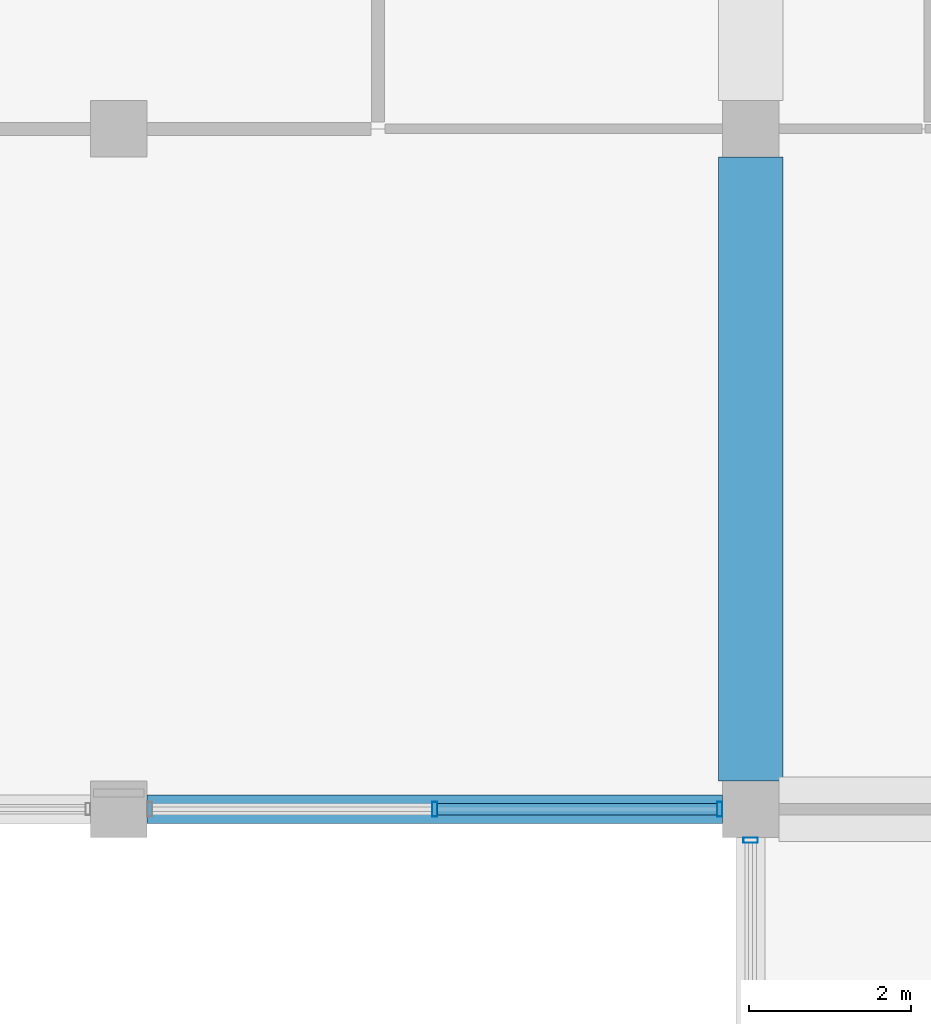
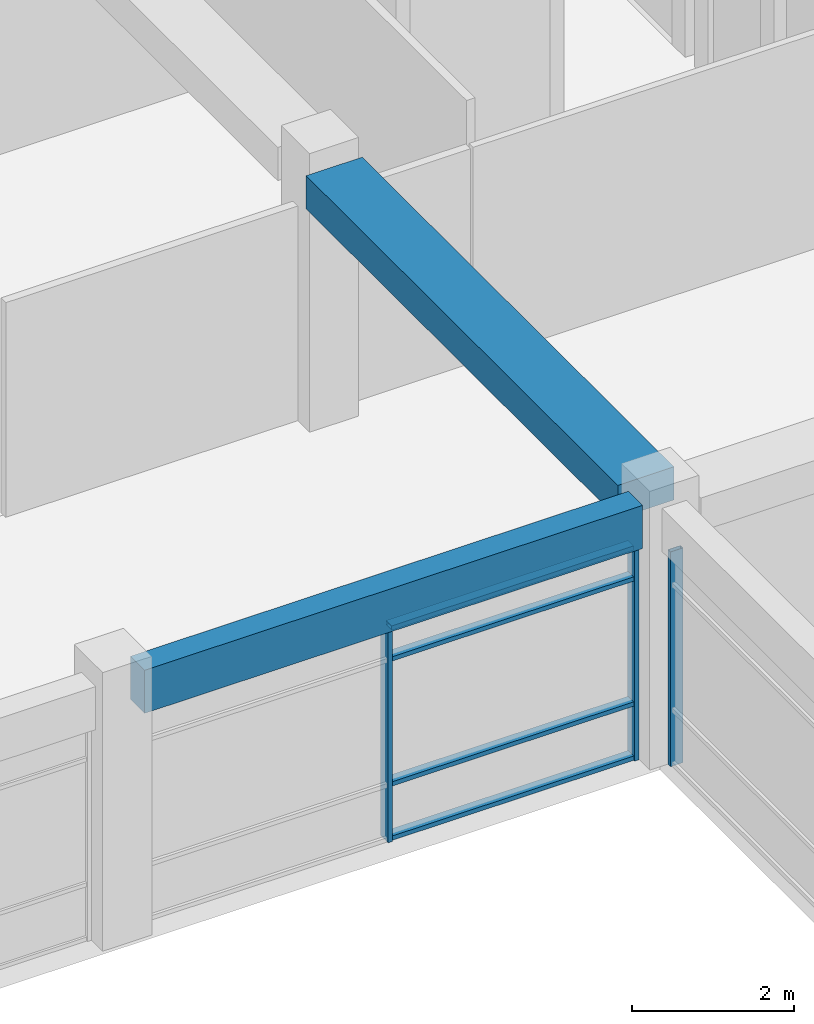
# One storey, part 18 of 53: 7 members, 2 beams, 2 elements without a shape of their own.
"""IFC4 building model written with IfcOpenShell, lengths in metres."""

from ifc_helpers import new_model, si_unit, direction, frame, origin, origin_2d, place, context, subcontext, project, spatial, rectangle, hollow_rectangle, extrude, material, material_profile, profile_set, type_object, element, aggregate, save


model = new_model("IFC4")

# Units and contexts
model_context = context("Model", 3, precision=1e-05, world=origin(), true_north=direction((0.0, 1.0)))
body_context = subcontext(model_context, "Body", "Model", "MODEL_VIEW")
ifc_project = project(units=[si_unit("LENGTHUNIT", "METRE"), si_unit("AREAUNIT", "SQUARE_METRE"), si_unit("VOLUMEUNIT", "CUBIC_METRE"), si_unit("PLANEANGLEUNIT", "RADIAN"), si_unit("MASSUNIT", "GRAM", prefix="KILO"), si_unit("THERMODYNAMICTEMPERATUREUNIT", "KELVIN"), si_unit("POWERUNIT", "WATT")], contexts=[model_context])

# Site, building, storey
site_placement = place(None, origin())
site = spatial("IfcSite", under=ifc_project, at=site_placement, CompositionType="ELEMENT")
building_placement = place(site_placement, origin())
building = spatial("IfcBuilding", under=site, at=building_placement, Name="Srebrne Nadtorze General Hospital", CompositionType="ELEMENT")
storey_placement = place(building_placement, frame((0.0, 0.0, 18.0)))
storey = spatial("IfcBuildingStorey", under=building, at=storey_placement, Name="L04", CompositionType="ELEMENT", Elevation=18.0)

# Curtain wall, members
ifc_material_1 = material(Name="Anodised Aluminium", Category="aluminium")
curtain_wall_type_1 = type_object("IfcCurtainWallType", Name="Unitised curtain wall 7100x3235", PredefinedType="NOTDEFINED", material=ifc_material_1)
curtain_wall_1_placement = place(storey_placement, origin())
curtain_wall_1 = element("IfcCurtainWall", 1, at=curtain_wall_1_placement, inside=storey, type_object=curtain_wall_type_1, Name="Curtain wall CW-105", PredefinedType="NOTDEFINED")
ifc_material_2 = material(Name="Anodised Aluminium", Category="aluminium")
ifc_material_profile_1 = material_profile(ifc_material_2, hollow_rectangle(XDim=0.06494140625, YDim=0.179931640625, WallThickness=0.00390625, at=origin_2d()), Name="AL-MUL-65x180")
ifc_profile_set_1 = profile_set([ifc_material_profile_1], Name="Anodised Aluminium")
member_type_1 = type_object("IfcMemberType", Name="Curtain mullion 65x180", PredefinedType="MULLION", material=ifc_profile_set_1)
member_1_placement = place(storey_placement, frame((128.699951171875, 25.199951171875, 0.0), z_axis=(0.0, 0.0, 1.0), x_axis=(1.0, 0.0, 0.0)))
member_1 = element("IfcMember", 2, at=member_1_placement, type_object=member_type_1, Name="CW-105 mullion 2", PredefinedType="MULLION", context=body_context, shape_type="SweptSolid", body=[
    extrude(hollow_rectangle(XDim=0.06494140625, YDim=0.179931640625, WallThickness=0.00390625, at=origin_2d()), origin(), (0.0, 0.0, 1.0), 3.235107421875),
])
member_2_placement = place(storey_placement, frame((132.217529296875, 25.199951171875, 0.0), z_axis=(0.0, 0.0, 1.0), x_axis=(1.0, 0.0, 0.0)))
member_2 = element("IfcMember", 3, at=member_2_placement, type_object=member_type_1, Name="CW-105 mullion 3", PredefinedType="MULLION", context=body_context, shape_type="SweptSolid", body=[
    extrude(hollow_rectangle(XDim=0.06494140625, YDim=0.179931640625, WallThickness=0.00390625, at=origin_2d()), origin(), (0.0, 0.0, 1.0), 3.235107421875),
])

# Curtain wall, member
ifc_material_3 = material(Name="Anodised Aluminium", Category="aluminium")
curtain_wall_type_2 = type_object("IfcCurtainWallType", Name="Unitised curtain wall 7700x3235", PredefinedType="NOTDEFINED", material=ifc_material_3)
curtain_wall_2_placement = place(storey_placement, origin())
curtain_wall_2 = element("IfcCurtainWall", 4, at=curtain_wall_2_placement, inside=storey, type_object=curtain_wall_type_2, Name="Curtain wall CW-113", PredefinedType="NOTDEFINED")
member_3_placement = place(storey_placement, frame((132.60009765625, 24.8173828125, 0.0), z_axis=(0.0, 0.0, 1.0), x_axis=(0.0, 1.0, 0.0)))
member_3 = element("IfcMember", 5, at=member_3_placement, type_object=member_type_1, Name="CW-113 mullion 3", PredefinedType="MULLION", context=body_context, shape_type="SweptSolid", body=[
    extrude(hollow_rectangle(XDim=0.06494140625, YDim=0.179931640625, WallThickness=0.00390625, at=origin_2d()), origin(), (0.0, 0.0, 1.0), 3.235107421875),
])
aggregate(curtain_wall_2, [member_3])

# Member
ifc_material_4 = material(Name="Anodised Aluminium", Category="aluminium")
ifc_material_profile_2 = material_profile(ifc_material_4, hollow_rectangle(XDim=0.06494140625, YDim=0.139892578125, WallThickness=0.00390625, at=origin_2d()), Name="AL-TRN-65x140")
ifc_profile_set_2 = profile_set([ifc_material_profile_2], Name="Anodised Aluminium")
member_type_2 = type_object("IfcMemberType", Name="Curtain transom 65x140", PredefinedType="USERDEFINED", material=ifc_profile_set_2)
member_4_placement = place(storey_placement, frame((128.732421875, 25.199951171875, 0.032470703125), z_axis=(1.0, 0.0, 0.0), x_axis=(0.0, 0.0, 1.0)))
member_4 = element("IfcMember", 6, at=member_4_placement, type_object=member_type_2, Name="CW-105 transom 2.1", ObjectType="TRANSOM", PredefinedType="USERDEFINED", context=body_context, shape_type="SweptSolid", body=[
    extrude(hollow_rectangle(XDim=0.06494140625, YDim=0.139892578125, WallThickness=0.00390625, at=origin_2d()), origin(), (0.0, 0.0, 1.0), 3.45263671875),
])

member_5_placement = place(storey_placement, frame((128.732421875, 25.199951171875, 0.85009765625), z_axis=(1.0, 0.0, 0.0), x_axis=(0.0, 0.0, 1.0)))
member_5 = element("IfcMember", 7, at=member_5_placement, type_object=member_type_2, Name="CW-105 transom 2.2", ObjectType="TRANSOM", PredefinedType="USERDEFINED", context=body_context, shape_type="SweptSolid", body=[
    extrude(hollow_rectangle(XDim=0.06494140625, YDim=0.139892578125, WallThickness=0.00390625, at=origin_2d()), origin(), (0.0, 0.0, 1.0), 3.45263671875),
])

member_6_placement = place(storey_placement, frame((128.732421875, 25.199951171875, 2.735107421875), z_axis=(1.0, 0.0, 0.0), x_axis=(0.0, 0.0, 1.0)))
member_6 = element("IfcMember", 8, at=member_6_placement, type_object=member_type_2, Name="CW-105 transom 2.3", ObjectType="TRANSOM", PredefinedType="USERDEFINED", context=body_context, shape_type="SweptSolid", body=[
    extrude(hollow_rectangle(XDim=0.06494140625, YDim=0.139892578125, WallThickness=0.00390625, at=origin_2d()), origin(), (0.0, 0.0, 1.0), 3.45263671875),
])

member_7_placement = place(storey_placement, frame((128.732421875, 25.199951171875, 3.202392578125), z_axis=(1.0, 0.0, 0.0), x_axis=(0.0, 0.0, 1.0)))
member_7 = element("IfcMember", 9, at=member_7_placement, type_object=member_type_2, Name="CW-105 transom 2.4", ObjectType="TRANSOM", PredefinedType="USERDEFINED", context=body_context, shape_type="SweptSolid", body=[
    extrude(hollow_rectangle(XDim=0.06494140625, YDim=0.139892578125, WallThickness=0.00390625, at=origin_2d()), origin(), (0.0, 0.0, 1.0), 3.45263671875),
])

aggregate(curtain_wall_1, [member_1, member_2, member_4, member_5, member_6, member_7])

# Beams
ifc_material_5 = material(Name="Concrete C35/45", Category="concrete")
ifc_material_profile_3 = material_profile(ifc_material_5, rectangle(XDim=0.35009765625, YDim=0.64990234375, at=origin_2d()), Name="RC-BM-350x650")
ifc_profile_set_3 = profile_set([ifc_material_profile_3], Name="Concrete C35/45")
beam_type_1 = type_object("IfcBeamType", Name="Edge beam RC 350x650", PredefinedType="BEAM", material=ifc_profile_set_3)
beam_1_placement = place(storey_placement, frame((125.14990234375, 25.199951171875, 3.56005859375), z_axis=(1.0, 0.0, 0.0), x_axis=(0.0, 1.0, 0.0)))
element("IfcBeam", 10, at=beam_1_placement, inside=storey, type_object=beam_type_1, Name="Beam BM-L04-X-0878", PredefinedType="BEAM", context=body_context, shape_type="SweptSolid", body=[
    extrude(rectangle(XDim=0.35009765625, YDim=0.64990234375, at=origin_2d()), origin(), (0.0, 0.0, 1.0), 7.10009765625),
])
ifc_material_6 = material(Name="Concrete C40/50", Category="concrete")
ifc_material_profile_4 = material_profile(ifc_material_6, rectangle(XDim=0.800048828125, YDim=0.5, at=origin_2d()), Name="RC-BM-800x500")
ifc_profile_set_4 = profile_set([ifc_material_profile_4], Name="Concrete C40/50")
beam_type_2 = type_object("IfcBeamType", Name="Primary beam RC 800x500", PredefinedType="BEAM", material=ifc_profile_set_4)
beam_2_placement = place(storey_placement, frame((132.60009765625, 25.550048828125, 3.635009765625), z_axis=(0.0, 1.0, 0.0), x_axis=(-1.0, 0.0, 0.0)))
element("IfcBeam", 11, at=beam_2_placement, inside=storey, type_object=beam_type_2, Name="Beam BM-L04-Y-0977", PredefinedType="BEAM", context=body_context, shape_type="SweptSolid", body=[
    extrude(rectangle(XDim=0.800048828125, YDim=0.5, at=origin_2d()), origin(), (0.0, 0.0, 1.0), 7.699951171875),
])

save(model, "model.ifc")
